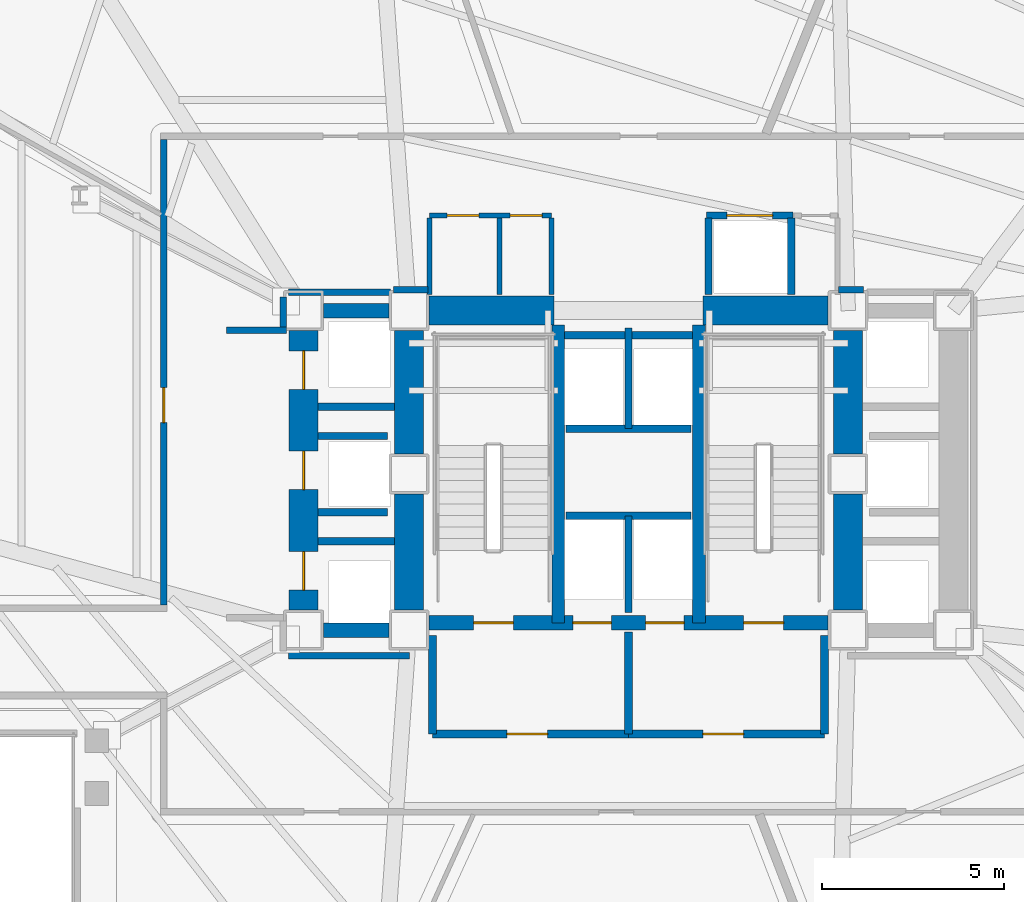
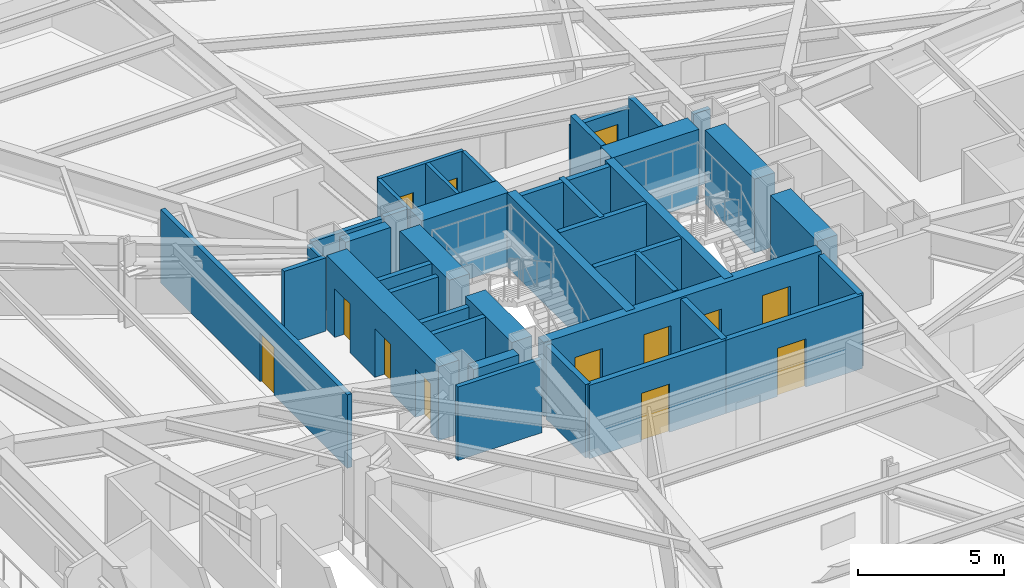
# One storey, part 4 of 10: 40 walls, 13 doors, 13 openings.
"""IFC4 building model written with IfcOpenShell, lengths in metres."""

import ifcopenshell
import ifcopenshell.guid

model = None  # the IFC model being written
_history = None  # IfcOwnerHistory: only IFC2X3 demands one
_inside = {}  # id of a spatial element -> (the spatial element, [elements in it])
_under = {}  # id of a project, library or spatial element -> (it, [spatial elements below it])
_declared = {}  # id of a project -> (the project, [libraries it declares])
_typed = {}  # id of a type object -> (the type object, [elements of that type])
_made_of = {}  # id of a material, layer set ... -> (it, [elements and type objects made of it])


def new_model(schema):
    """Start an empty IFC model of exactly this schema.

    Asked for "IFC4X3", IfcOpenShell would pick the latest addendum, in which some entities
    have other attributes; the version numbers below select the first issue.
    IFC2X3 requires an IfcOwnerHistory on every rooted entity: one is made here for all.
    """
    global model, _history
    if schema == "IFC4X3":
        model = ifcopenshell.file(schema_version=(4, 3, 0, 0))
    else:
        model = ifcopenshell.file(schema=schema)
    _inside.clear()
    _under.clear()
    _declared.clear()
    _typed.clear()
    _made_of.clear()
    _history = None
    if model.schema == "IFC2X3":
        org = make("IfcOrganization", Name="unknown")
        user = make(
            "IfcPersonAndOrganization",
            ThePerson=make("IfcPerson", FamilyName="unknown"),
            TheOrganization=org,
        )
        app = make(
            "IfcApplication",
            ApplicationDeveloper=org,
            Version="unknown",
            ApplicationFullName="unknown",
            ApplicationIdentifier="unknown",
        )
        _history = make(
            "IfcOwnerHistory",
            OwningUser=user,
            OwningApplication=app,
            ChangeAction="ADDED",
            CreationDate=0,
        )
    return model


def make(cls, **values):
    """One entity of the class cls with the attributes given. An attribute that is None is left unset."""
    return model.create_entity(
        cls, **{name: value for name, value in values.items() if value is not None}
    )


def rooted(cls, **values):
    """An entity with a GlobalId (a new one), such as an element, a storey or a relation."""
    return make(cls, GlobalId=ifcopenshell.guid.new(), OwnerHistory=_history, **values)


def si_unit(unit_type, name, prefix=None):
    """IfcSIUnit, for example si_unit("LENGTHUNIT", "METRE", prefix="MILLI")."""
    return make("IfcSIUnit", UnitType=unit_type, Prefix=prefix, Name=name)


def assignment(units):
    """IfcUnitAssignment: the units of a project."""
    return None if units is None else make("IfcUnitAssignment", Units=units)


def point(xyz):
    """IfcCartesianPoint."""
    return None if xyz is None else make("IfcCartesianPoint", Coordinates=xyz)


def direction(xyz):
    """IfcDirection."""
    return None if xyz is None else make("IfcDirection", DirectionRatios=xyz)


def frame(location, z_axis=None, x_axis=None):
    """IfcAxis2Placement3D, a coordinate frame: its origin and axes. An axis left out is left unset."""
    return make(
        "IfcAxis2Placement3D",
        Location=point(location),
        Axis=direction(z_axis),
        RefDirection=direction(x_axis),
    )


def frame_2d(location, x_axis=None):
    """IfcAxis2Placement2D, a coordinate frame in the plane: its origin and x axis."""
    return make(
        "IfcAxis2Placement2D", Location=point(location), RefDirection=direction(x_axis)
    )


def origin():
    """The frame at (0, 0, 0) with its axes left unset."""
    return frame((0.0, 0.0, 0.0))


def place(relative_to, where):
    """IfcLocalPlacement: puts the frame where relative to a parent placement (None: the world)."""
    return make(
        "IfcLocalPlacement", PlacementRelTo=relative_to, RelativePlacement=where
    )


def context(
    kind, dimensions, precision=None, world=None, true_north=None, identifier=None
):
    """IfcGeometricRepresentationContext, for example the 3D "Model" context."""
    return make(
        "IfcGeometricRepresentationContext",
        ContextIdentifier=identifier,
        ContextType=kind,
        CoordinateSpaceDimension=dimensions,
        Precision=precision,
        WorldCoordinateSystem=world,
        TrueNorth=true_north,
    )


def subcontext(parent, identifier, kind, view, scale=None):
    """IfcGeometricRepresentationSubContext, for example "Body" below "Model"."""
    return make(
        "IfcGeometricRepresentationSubContext",
        ContextIdentifier=identifier,
        ContextType=kind,
        ParentContext=parent,
        TargetScale=scale,
        TargetView=view,
    )


def project(units=None, contexts=None):
    """IfcProject with its units and contexts."""
    return rooted(
        "IfcProject",
        Name="project",
        RepresentationContexts=contexts,
        UnitsInContext=assignment(units),
    )


def spatial(cls, under=None, at=None, **own):
    """A site, building, storey or space (cls), placed at a placement, below another one or the project."""
    s = rooted(cls, ObjectPlacement=at, **own)
    if under is not None:
        _under.setdefault(under.id(), (under, []))[1].append(s)
    return s


def profile(cls, at=None, kind="AREA", **sizes):
    """A parametric profile (cls). Its sizes go by their IFC names, for example OverallWidth=200.0."""
    return make(cls, ProfileType=kind, Position=at, **sizes)


def rectangle(**sizes):
    """IfcRectangleProfileDef."""
    return profile("IfcRectangleProfileDef", **sizes)


def extrude(swept, where, along, depth):
    """IfcExtrudedAreaSolid: the profile swept, set in the frame where, extruded along a direction by depth."""
    return make(
        "IfcExtrudedAreaSolid",
        SweptArea=swept,
        Position=where,
        ExtrudedDirection=direction(along),
        Depth=depth,
    )


def shape(context_of_items, identifier, shape_type, items):
    """IfcShapeRepresentation: the items that make up one representation, for example the "Body"."""
    return make(
        "IfcShapeRepresentation",
        ContextOfItems=context_of_items,
        RepresentationIdentifier=identifier,
        RepresentationType=shape_type,
        Items=items,
    )


def material(Name=None, Category=None):
    """IfcMaterial."""
    return make("IfcMaterial", Name=Name, Category=Category)


def layer(
    of_material, thickness, ventilated=None, Name=None, Category=None, Priority=None
):
    """IfcMaterialLayer: one layer of a wall or slab, of a material (None: an air gap)."""
    return make(
        "IfcMaterialLayer",
        Material=of_material,
        LayerThickness=thickness,
        IsVentilated=ventilated,
        Name=Name,
        Category=Category,
        Priority=Priority,
    )


def layer_set(layers, Name=None):
    """IfcMaterialLayerSet."""
    return make("IfcMaterialLayerSet", MaterialLayers=layers, LayerSetName=Name)


def made_of(thing, what):
    """Note that an element or type object is made of a material, layer set ...; save() writes the relation."""
    if what is not None:
        _made_of.setdefault(what.id(), (what, []))[1].append(thing)
    return thing


def type_object(cls, material=None, **own):
    """A type object (cls), such as IfcWallType, which elements share."""
    return made_of(rooted(cls, **own), material)


def element(
    cls,
    number,
    at=None,
    inside=None,
    cuts=None,
    type_object=None,
    material=None,
    context=None,
    identifier="Body",
    shape_type=None,
    held_by="IfcProductDefinitionShape",
    body=None,
    shapes=None,
    **own,
):
    """One element of the class cls, such as IfcWall. Its Tag is "e" and its number.

    at: its placement. inside: the storey or other place that contains it. cuts: it is an
    opening in that element (IfcRelVoidsElement). A single representation is given by context,
    identifier, shape_type and body (its items); several are given by shapes. held_by: the class
    of the entity that holds the representations. save() writes the other relations.
    """
    e = rooted(cls, Tag="e%d" % number, ObjectPlacement=at, **own)
    if body is not None:
        shapes = [shape(context, identifier, shape_type, body)]
    if shapes is not None:
        e.Representation = make(held_by, Representations=shapes)
    if inside is not None:
        _inside.setdefault(inside.id(), (inside, []))[1].append(e)
    if cuts is not None:
        rooted(
            "IfcRelVoidsElement", RelatingBuildingElement=cuts, RelatedOpeningElement=e
        )
    if type_object is not None:
        _typed.setdefault(type_object.id(), (type_object, []))[1].append(e)
    return made_of(e, material)


def fill(opening, filler):
    """IfcRelFillsElement: the door or window that sits in an opening."""
    return rooted(
        "IfcRelFillsElement",
        RelatingOpeningElement=opening,
        RelatedBuildingElement=filler,
    )


def aggregate(whole, parts):
    """IfcRelAggregates: a whole, such as a stair, and the parts it consists of."""
    return rooted("IfcRelAggregates", RelatingObject=whole, RelatedObjects=parts)


def save(model, path):
    """Write the relations noted so far, then the file.

    IfcRelAggregates (storeys below a building ...), IfcRelContainedInSpatialStructure (elements
    in a storey), IfcRelDefinesByType, IfcRelAssociatesMaterial and IfcRelDeclares: one each for
    every whole, place, type object, material and project.
    """
    for whole, parts in _under.values():
        aggregate(whole, parts)
    for where, things in _inside.values():
        rooted(
            "IfcRelContainedInSpatialStructure",
            RelatedElements=things,
            RelatingStructure=where,
        )
    for kind, things in _typed.values():
        rooted("IfcRelDefinesByType", RelatedObjects=things, RelatingType=kind)
    for what, things in _made_of.values():
        rooted("IfcRelAssociatesMaterial", RelatedObjects=things, RelatingMaterial=what)
    for by, libraries in _declared.values():
        rooted("IfcRelDeclares", RelatingContext=by, RelatedDefinitions=libraries)
    model.write(path)


model = new_model("IFC4")

# Units and contexts
model_context = context("Model", 3, precision=1e-05, world=origin(), true_north=direction((0.0, 1.0)))
body_context = subcontext(model_context, "Body", "Model", "MODEL_VIEW")
ifc_project = project(units=[si_unit("LENGTHUNIT", "METRE"), si_unit("AREAUNIT", "SQUARE_METRE"), si_unit("VOLUMEUNIT", "CUBIC_METRE"), si_unit("PLANEANGLEUNIT", "RADIAN"), si_unit("MASSUNIT", "GRAM", prefix="KILO")], contexts=[model_context])

# Site, building, storey
site_placement = place(None, origin())
site = spatial("IfcSite", under=ifc_project, at=site_placement, CompositionType="ELEMENT")
building_placement = place(site_placement, origin())
building = spatial("IfcBuilding", under=site, at=building_placement, Name="Rocaltana Carrier Exchange", CompositionType="ELEMENT")
storey_placement = place(building_placement, frame((0.0, 0.0, 15.360107421875)))
storey = spatial("IfcBuildingStorey", under=building, at=storey_placement, Name="L05", CompositionType="ELEMENT", Elevation=15.360107421875)

# Walls
ifc_material_1 = material(Name="Concrete C50/60", Category="concrete")
ifc_layer_1 = layer(ifc_material_1, 0.35009765625)
ifc_layer_set_1 = layer_set([ifc_layer_1], Name="Concrete C50/60")
wall_type_1 = type_object("IfcWallType", Name="Core Internal Shear Wall 350", PredefinedType="SHEAR", material=ifc_layer_set_1)
for number, where, z_axis, x_axis, name in (
    (1, (-1.93994140625, -4.10009765625, 0.0), (0.0, 0.0, 1.0), (0.0, 1.0, 0.0), "L05 Core Shear Wall CW-STW"),
    (2, (1.93994140625, -4.10009765625, 0.0), (0.0, 0.0, 1.0), (0.0, 1.0, 0.0), "L05 Core Shear Wall CW-STE"),
):
    element("IfcWall", number, at=place(storey_placement, frame(where, z_axis=z_axis, x_axis=x_axis)), inside=storey, type_object=wall_type_1, Name=name, PredefinedType="SHEAR", context=body_context, shape_type="SweptSolid", body=[
        extrude(rectangle(XDim=8.2001953125, YDim=0.35009765625, at=frame_2d((4.10009765625, 0.0))), origin(), (0.0, 0.0, 1.0), 3.097900390625),
    ])

# Wall, openings, doors
ifc_material_2 = material(Name="Concrete C50/60", Category="concrete")
ifc_layer_2 = layer(ifc_material_2, 0.39990234375)
ifc_layer_set_2 = layer_set([ifc_layer_2], Name="Concrete C50/60")
wall_type_2 = type_object("IfcWallType", Name="Core Internal Shear Wall 400", PredefinedType="SHEAR", material=ifc_layer_set_2)
wall_1_placement = place(storey_placement, frame((-5.5, -4.10009765625, 0.0), z_axis=(0.0, 0.0, 1.0), x_axis=(1.0, 0.0, 0.0)))
wall_1 = element("IfcWall", 3, at=wall_1_placement, inside=storey, type_object=wall_type_2, Name="L05 Core Shear Wall CW-S", PredefinedType="SHEAR", context=body_context, shape_type="SweptSolid", body=[
    extrude(rectangle(XDim=11.0, YDim=0.39990234375, at=frame_2d((5.5, 0.0))), origin(), (0.0, 0.0, 1.0), 3.097900390625),
])
opening_1_placement = place(wall_1_placement, frame((1.22998046875, 0.0, 0.0)))
opening_1 = element("IfcOpeningElement", 4, at=opening_1_placement, cuts=wall_1, Name="Opening D-ST110", PredefinedType="OPENING", context=body_context, shape_type="SweptSolid", body=[
    extrude(rectangle(XDim=1.10009765625, YDim=2.0400390625, at=frame_2d((0.550048828125, 1.02001953125))), frame((0.0, 0.2099609375, 0.0), z_axis=(0.0, -1.0, 0.0), x_axis=(1.0, 0.0, 0.0)), (0.0, 0.0, 1.0), 0.419921875),
])
opening_2_placement = place(wall_1_placement, frame((8.669921875, 0.0, 0.0)))
opening_2 = element("IfcOpeningElement", 5, at=opening_2_placement, cuts=wall_1, Name="Opening D-ST110", PredefinedType="OPENING", context=body_context, shape_type="SweptSolid", body=[
    extrude(rectangle(XDim=1.10009765625, YDim=2.0400390625, at=frame_2d((0.550048828125, 1.02001953125))), frame((0.0, 0.2099609375, 0.0), z_axis=(0.0, -1.0, 0.0), x_axis=(1.0, 0.0, 0.0)), (0.0, 0.0, 1.0), 0.419921875),
])
opening_3_placement = place(wall_1_placement, frame((3.969970703125, 0.0, 0.0)))
opening_3 = element("IfcOpeningElement", 6, at=opening_3_placement, cuts=wall_1, Name="Opening LD-110", PredefinedType="OPENING", context=body_context, shape_type="SweptSolid", body=[
    extrude(rectangle(XDim=1.06005859375, YDim=2.0400390625, at=frame_2d((0.530029296875, 1.02001953125))), frame((0.0, 0.2099609375, 0.0), z_axis=(0.0, -1.0, 0.0), x_axis=(1.0, 0.0, 0.0)), (0.0, 0.0, 1.0), 0.419921875),
])
opening_4_placement = place(wall_1_placement, frame((5.969970703125, 0.0, 0.0)))
opening_4 = element("IfcOpeningElement", 7, at=opening_4_placement, cuts=wall_1, Name="Opening LD-110", PredefinedType="OPENING", context=body_context, shape_type="SweptSolid", body=[
    extrude(rectangle(XDim=1.06005859375, YDim=2.0400390625, at=frame_2d((0.530029296875, 1.02001953125))), frame((0.0, 0.2099609375, 0.0), z_axis=(0.0, -1.0, 0.0), x_axis=(1.0, 0.0, 0.0)), (0.0, 0.0, 1.0), 0.419921875),
])
ifc_material_3 = material(Name="Hollow Metal Fire Door Assembly", Category="steel")
door_type_1 = type_object("IfcDoorType", Name="Exit Stair Fire Door 1100x2040 FD90S", OperationType="NOTDEFINED", PredefinedType="DOOR", material=ifc_material_3)
door_1_placement = place(opening_1_placement, origin())
door_1 = element("IfcDoor", 8, at=door_1_placement, inside=storey, type_object=door_type_1, Name="L05 Exit Stair ST1 Fire Door", OperationType="SINGLE_SWING_RIGHT", OverallHeight=2.0400390625, OverallWidth=1.10009765625, PredefinedType="DOOR", context=body_context, shape_type="SweptSolid", body=[
    extrude(rectangle(XDim=1.10009765625, YDim=2.0400390625, at=frame_2d((0.550048828125, 1.02001953125))), frame((0.0, 0.02490234375, 0.0), z_axis=(0.0, -1.0, 0.0), x_axis=(1.0, 0.0, 0.0)), (0.0, 0.0, 1.0), 0.050048828125),
])
fill(opening_1, door_1)
door_2_placement = place(opening_2_placement, origin())
door_2 = element("IfcDoor", 9, at=door_2_placement, inside=storey, type_object=door_type_1, Name="L05 Exit Stair ST2 Fire Door", OperationType="SINGLE_SWING_LEFT", OverallHeight=2.0400390625, OverallWidth=1.10009765625, PredefinedType="DOOR", context=body_context, shape_type="SweptSolid", body=[
    extrude(rectangle(XDim=1.10009765625, YDim=2.0400390625, at=frame_2d((0.550048828125, 1.02001953125))), frame((0.0, 0.02490234375, 0.0), z_axis=(0.0, -1.0, 0.0), x_axis=(1.0, 0.0, 0.0)), (0.0, 0.0, 1.0), 0.050048828125),
])
fill(opening_2, door_2)
ifc_material_4 = material(Name="Brushed Stainless Sliding Door Leaf", Category="steel")
door_type_2 = type_object("IfcDoorType", Name="Lift Landing Sliding Door 1060x2040", OperationType="NOTDEFINED", PredefinedType="DOOR", material=ifc_material_4)
door_3_placement = place(opening_3_placement, origin())
door_3 = element("IfcDoor", 10, at=door_3_placement, inside=storey, type_object=door_type_2, Name="L05 Firefighting Lift FFL1 Landing Door", OperationType="SLIDING_TO_LEFT", OverallHeight=2.0400390625, OverallWidth=1.06005859375, PredefinedType="DOOR", context=body_context, shape_type="SweptSolid", body=[
    extrude(rectangle(XDim=1.06005859375, YDim=2.0400390625, at=frame_2d((0.530029296875, 1.02001953125))), frame((0.0, 0.02490234375, 0.0), z_axis=(0.0, -1.0, 0.0), x_axis=(1.0, 0.0, 0.0)), (0.0, 0.0, 1.0), 0.050048828125),
])
fill(opening_3, door_3)
door_4_placement = place(opening_4_placement, origin())
door_4 = element("IfcDoor", 11, at=door_4_placement, inside=storey, type_object=door_type_2, Name="L05 Firefighting Lift FFL2 Landing Door", OperationType="SLIDING_TO_RIGHT", OverallHeight=2.0400390625, OverallWidth=1.06005859375, PredefinedType="DOOR", context=body_context, shape_type="SweptSolid", body=[
    extrude(rectangle(XDim=1.06005859375, YDim=2.0400390625, at=frame_2d((0.530029296875, 1.02001953125))), frame((0.0, 0.02490234375, 0.0), z_axis=(0.0, -1.0, 0.0), x_axis=(1.0, 0.0, 0.0)), (0.0, 0.0, 1.0), 0.050048828125),
])
fill(opening_4, door_4)

# Walls
for number, where, z_axis, x_axis, name in (
    (12, (-8.39990234375, 4.5, 0.0), (0.0, 0.0, 1.0), (1.0, 0.0, 0.0), "L05 Core Shear Wall CW-WWN"),
    (13, (-8.39990234375, -4.300048828125, 0.0), (0.0, 0.0, 1.0), (1.0, 0.0, 0.0), "L05 Core Shear Wall CW-WWS"),
):
    element("IfcWall", number, at=place(storey_placement, frame(where, z_axis=z_axis, x_axis=x_axis)), inside=storey, type_object=wall_type_2, Name=name, PredefinedType="SHEAR", context=body_context, shape_type="SweptSolid", body=[
        extrude(rectangle(XDim=1.7998046875, YDim=0.39990234375, at=frame_2d((0.89990234375, 0.0))), origin(), (0.0, 0.0, 1.0), 3.097900390625),
    ])
ifc_material_5 = material(Name="Concrete C60/75", Category="concrete")
ifc_layer_3 = layer(ifc_material_5, 0.800048828125)
ifc_layer_set_3 = layer_set([ifc_layer_3], Name="Concrete C60/75")
wall_type_3 = type_object("IfcWallType", Name="Core Shear Wall 800", PredefinedType="SHEAR", material=ifc_layer_set_3)
wall_2_placement = place(storey_placement, frame((-6.050048828125, 0.550048828125, 0.0), z_axis=(0.0, 0.0, 1.0), x_axis=(0.0, 1.0, 0.0)))
element("IfcWall", 14, at=wall_2_placement, inside=storey, type_object=wall_type_3, Name="L05 Core Shear Wall CW-WN", PredefinedType="SHEAR", context=body_context, shape_type="SweptSolid", body=[
    extrude(rectangle(XDim=3.39990234375, YDim=0.800048828125, at=frame_2d((1.699951171875, 0.0))), origin(), (0.0, 0.0, 1.0), 3.097900390625),
])
wall_3_placement = place(storey_placement, frame((-6.050048828125, -3.75, 0.0), z_axis=(0.0, 0.0, 1.0), x_axis=(0.0, 1.0, 0.0)))
element("IfcWall", 15, at=wall_3_placement, inside=storey, type_object=wall_type_3, Name="L05 Core Shear Wall CW-WS", PredefinedType="SHEAR", context=body_context, shape_type="SweptSolid", body=[
    extrude(rectangle(XDim=3.199951171875, YDim=0.800048828125, at=frame_2d((1.60009765625, 0.0))), origin(), (0.0, 0.0, 1.0), 3.097900390625),
])
wall_4_placement = place(storey_placement, frame((6.050048828125, 0.550048828125, 0.0), z_axis=(0.0, 0.0, 1.0), x_axis=(0.0, 1.0, 0.0)))
element("IfcWall", 16, at=wall_4_placement, inside=storey, type_object=wall_type_3, Name="L05 Core Shear Wall CW-EN", PredefinedType="SHEAR", context=body_context, shape_type="SweptSolid", body=[
    extrude(rectangle(XDim=3.39990234375, YDim=0.800048828125, at=frame_2d((1.699951171875, 0.0))), origin(), (0.0, 0.0, 1.0), 3.097900390625),
])
wall_5_placement = place(storey_placement, frame((6.050048828125, -3.75, 0.0), z_axis=(0.0, 0.0, 1.0), x_axis=(0.0, 1.0, 0.0)))
element("IfcWall", 17, at=wall_5_placement, inside=storey, type_object=wall_type_3, Name="L05 Core Shear Wall CW-ES", PredefinedType="SHEAR", context=body_context, shape_type="SweptSolid", body=[
    extrude(rectangle(XDim=3.199951171875, YDim=0.800048828125, at=frame_2d((1.60009765625, 0.0))), origin(), (0.0, 0.0, 1.0), 3.097900390625),
])
for number, where, z_axis, x_axis, name in (
    (18, (-5.5, 4.5, 0.0), (0.0, 0.0, 1.0), (1.0, 0.0, 0.0), "L05 Core Shear Wall CW-N1"),
    (19, (2.050048828125, 4.5, 0.0), (0.0, 0.0, 1.0), (1.0, 0.0, 0.0), "L05 Core Shear Wall CW-N2"),
):
    element("IfcWall", number, at=place(storey_placement, frame(where, z_axis=z_axis, x_axis=x_axis)), inside=storey, type_object=wall_type_3, Name=name, PredefinedType="SHEAR", context=body_context, shape_type="SweptSolid", body=[
        extrude(rectangle(XDim=3.449951171875, YDim=0.800048828125, at=frame_2d((1.72509765625, 0.0))), origin(), (0.0, 0.0, 1.0), 3.097900390625),
    ])

# Wall, openings, doors
wall_6_placement = place(storey_placement, frame((-8.949951171875, -3.75, 0.0), z_axis=(0.0, 0.0, 1.0), x_axis=(0.0, 1.0, 0.0)))
wall_6 = element("IfcWall", 20, at=wall_6_placement, inside=storey, type_object=wall_type_3, Name="L05 Core Shear Wall CW-WW", PredefinedType="SHEAR", context=body_context, shape_type="SweptSolid", body=[
    extrude(rectangle(XDim=7.699951171875, YDim=0.800048828125, at=frame_2d((3.85009765625, 0.0))), origin(), (0.0, 0.0, 1.0), 3.097900390625),
])
opening_5_placement = place(wall_6_placement, frame((0.550048828125, 0.0, 0.0)))
opening_5 = element("IfcOpeningElement", 21, at=opening_5_placement, cuts=wall_6, Name="Opening LD-110", PredefinedType="OPENING", context=body_context, shape_type="SweptSolid", body=[
    extrude(rectangle(XDim=1.06005859375, YDim=2.0400390625, at=frame_2d((0.530029296875, 1.02001953125))), frame((0.0, 0.409912109375, 0.0), z_axis=(0.0, -1.0, 0.0), x_axis=(1.0, 0.0, 0.0)), (0.0, 0.0, 1.0), 0.820068359375),
])
opening_6_placement = place(wall_6_placement, frame((3.320068359375, 0.0, 0.0)))
opening_6 = element("IfcOpeningElement", 22, at=opening_6_placement, cuts=wall_6, Name="Opening LD-110", PredefinedType="OPENING", context=body_context, shape_type="SweptSolid", body=[
    extrude(rectangle(XDim=1.06005859375, YDim=2.0400390625, at=frame_2d((0.530029296875, 1.02001953125))), frame((0.0, 0.409912109375, 0.0), z_axis=(0.0, -1.0, 0.0), x_axis=(1.0, 0.0, 0.0)), (0.0, 0.0, 1.0), 0.820068359375),
])
opening_7_placement = place(wall_6_placement, frame((6.080078125, 0.0, 0.0)))
opening_7 = element("IfcOpeningElement", 23, at=opening_7_placement, cuts=wall_6, Name="Opening LD-110", PredefinedType="OPENING", context=body_context, shape_type="SweptSolid", body=[
    extrude(rectangle(XDim=1.06005859375, YDim=2.0400390625, at=frame_2d((0.530029296875, 1.02001953125))), frame((0.0, 0.409912109375, 0.0), z_axis=(0.0, -1.0, 0.0), x_axis=(1.0, 0.0, 0.0)), (0.0, 0.0, 1.0), 0.820068359375),
])
door_5_placement = place(opening_5_placement, origin())
door_5 = element("IfcDoor", 24, at=door_5_placement, inside=storey, type_object=door_type_2, Name="L05 Low-Rise Lift PL-L1 Landing Door", OperationType="SLIDING_TO_LEFT", OverallHeight=2.0400390625, OverallWidth=1.06005859375, PredefinedType="DOOR", context=body_context, shape_type="SweptSolid", body=[
    extrude(rectangle(XDim=1.06005859375, YDim=2.0400390625, at=frame_2d((0.530029296875, 1.02001953125))), frame((0.0, 0.02490234375, 0.0), z_axis=(0.0, -1.0, 0.0), x_axis=(1.0, 0.0, 0.0)), (0.0, 0.0, 1.0), 0.050048828125),
])
fill(opening_5, door_5)
door_6_placement = place(opening_6_placement, origin())
door_6 = element("IfcDoor", 25, at=door_6_placement, inside=storey, type_object=door_type_2, Name="L05 Low-Rise Lift PL-L2 Landing Door", OperationType="SLIDING_TO_RIGHT", OverallHeight=2.0400390625, OverallWidth=1.06005859375, PredefinedType="DOOR", context=body_context, shape_type="SweptSolid", body=[
    extrude(rectangle(XDim=1.06005859375, YDim=2.0400390625, at=frame_2d((0.530029296875, 1.02001953125))), frame((0.0, 0.02490234375, 0.0), z_axis=(0.0, -1.0, 0.0), x_axis=(1.0, 0.0, 0.0)), (0.0, 0.0, 1.0), 0.050048828125),
])
fill(opening_6, door_6)
door_7_placement = place(opening_7_placement, origin())
door_7 = element("IfcDoor", 26, at=door_7_placement, inside=storey, type_object=door_type_2, Name="L05 Low-Rise Lift PL-L3 Landing Door", OperationType="SLIDING_TO_LEFT", OverallHeight=2.0400390625, OverallWidth=1.06005859375, PredefinedType="DOOR", context=body_context, shape_type="SweptSolid", body=[
    extrude(rectangle(XDim=1.06005859375, YDim=2.0400390625, at=frame_2d((0.530029296875, 1.02001953125))), frame((0.0, 0.02490234375, 0.0), z_axis=(0.0, -1.0, 0.0), x_axis=(1.0, 0.0, 0.0)), (0.0, 0.0, 1.0), 0.050048828125),
])
fill(opening_7, door_7)

# Wall, opening, door
ifc_material_6 = material(Name="Gypsum & Steel Stud Partition", Category="steel")
ifc_layer_4 = layer(ifc_material_6, 0.179931640625)
ifc_layer_set_4 = layer_set([ifc_layer_4], Name="Gypsum & Steel Stud Partition")
wall_type_4 = type_object("IfcWallType", Name="Corridor Fire Partition 180 EI60", PredefinedType="PARTITIONING", material=ifc_layer_set_4)
wall_7_placement = place(storey_placement, frame((-12.800048828125, -3.610107421875, 0.0), z_axis=(0.0, 0.0, 1.0), x_axis=(0.0, 1.0, 0.0)))
wall_7 = element("IfcWall", 27, at=wall_7_placement, inside=storey, type_object=wall_type_4, Name="L05 Corridor Partition 7", PredefinedType="PARTITIONING", context=body_context, shape_type="SweptSolid", body=[
    extrude(rectangle(XDim=12.820068359375, YDim=0.179931640625, at=frame_2d((6.41015625, 0.0))), origin(), (0.0, 0.0, 1.0), 3.072998046875),
])
opening_8_placement = place(wall_7_placement, frame((5.02685546875, 0.0, 0.0)))
opening_8 = element("IfcOpeningElement", 28, at=opening_8_placement, cuts=wall_7, Name="Opening D-RM098", PredefinedType="OPENING", context=body_context, shape_type="SweptSolid", body=[
    extrude(rectangle(XDim=0.9599609375, YDim=2.02001953125, at=frame_2d((0.47998046875, 1.010009765625))), frame((0.0, 0.099853515625, 0.0), z_axis=(0.0, -1.0, 0.0), x_axis=(1.0, 0.0, 0.0)), (0.0, 0.0, 1.0), 0.199951171875),
])
ifc_material_7 = material(Name="Engineered Hardwood Timber", Category="wood")
door_type_3 = type_object("IfcDoorType", Name="Workspace Single Door 960x2020", OperationType="NOTDEFINED", PredefinedType="DOOR", material=ifc_material_7)
door_8_placement = place(opening_8_placement, origin())
door_8 = element("IfcDoor", 29, at=door_8_placement, inside=storey, type_object=door_type_3, Name="L05 Quiet Focus Lounge Entrance Door", OperationType="SINGLE_SWING_LEFT", OverallHeight=2.02001953125, OverallWidth=0.9599609375, PredefinedType="DOOR", context=body_context, shape_type="SweptSolid", body=[
    extrude(rectangle(XDim=0.9599609375, YDim=2.02001953125, at=frame_2d((0.47998046875, 1.010009765625))), frame((0.0, 0.02490234375, 0.0), z_axis=(0.0, -1.0, 0.0), x_axis=(1.0, 0.0, 0.0)), (0.0, 0.0, 1.0), 0.050048828125),
])
fill(opening_8, door_8)

# Walls
wall_8_placement = place(storey_placement, frame((-9.3701171875, -5.010009765625, 0.0), z_axis=(0.0, 0.0, 1.0), x_axis=(1.0, 0.0, 0.0)))
element("IfcWall", 30, at=wall_8_placement, inside=storey, type_object=wall_type_4, Name="L05 Corridor Partition 23", PredefinedType="PARTITIONING", context=body_context, shape_type="SweptSolid", body=[
    extrude(rectangle(XDim=3.340087890625, YDim=0.179931640625, at=frame_2d((1.669921875, 0.0))), origin(), (0.0, 0.0, 1.0), 3.072998046875),
])
wall_9_placement = place(storey_placement, frame((6.469970703125, 5.080078125, 0.0), z_axis=(0.0, 0.0, 1.0), x_axis=(-1.0, 0.0, 0.0)))
element("IfcWall", 31, at=wall_9_placement, inside=storey, type_object=wall_type_4, Name="L05 Corridor Partition 29", PredefinedType="PARTITIONING", context=body_context, shape_type="SweptSolid", body=[
    extrude(rectangle(XDim=0.679931640625, YDim=0.179931640625, at=frame_2d((0.33984375, 0.0))), origin(), (0.0, 0.0, 1.0), 3.072998046875),
])
wall_10_placement = place(storey_placement, frame((-5.52001953125, 5.080078125, 0.0), z_axis=(0.0, 0.0, 1.0), x_axis=(-1.0, 0.0, 0.0)))
element("IfcWall", 32, at=wall_10_placement, inside=storey, type_object=wall_type_4, Name="L05 Corridor Partition 32", PredefinedType="PARTITIONING", context=body_context, shape_type="SweptSolid", body=[
    extrude(rectangle(XDim=0.949951171875, YDim=0.179931640625, at=frame_2d((0.47509765625, 0.0))), origin(), (0.0, 0.0, 1.0), 3.072998046875),
])
wall_11_placement = place(storey_placement, frame((-6.562255859375, 5.010009765625, 0.0), z_axis=(0.0, 0.0, 1.0), x_axis=(-1.0, 0.0, 0.0)))
element("IfcWall", 33, at=wall_11_placement, inside=storey, type_object=wall_type_4, Name="L05 Corridor Partition 33", PredefinedType="PARTITIONING", context=body_context, shape_type="SweptSolid", body=[
    extrude(rectangle(XDim=2.807861328125, YDim=0.179931640625, at=frame_2d((1.40380859375, 0.0))), origin(), (0.0, 0.0, 1.0), 3.072998046875),
])
wall_12_placement = place(storey_placement, frame((-9.510009765625, 4.8701171875, 0.0), z_axis=(0.0, 0.0, 1.0), x_axis=(0.0, -1.0, 0.0)))
element("IfcWall", 34, at=wall_12_placement, inside=storey, type_object=wall_type_4, Name="L05 Corridor Partition 34", PredefinedType="PARTITIONING", context=body_context, shape_type="SweptSolid", body=[
    extrude(rectangle(XDim=0.820068359375, YDim=0.179931640625, at=frame_2d((0.41015625, 0.0))), origin(), (0.0, 0.0, 1.0), 3.072998046875),
])
wall_13_placement = place(storey_placement, frame((-9.419921875, 3.9599609375, 0.0), z_axis=(0.0, 0.0, 1.0), x_axis=(-1.0, 0.0, 0.0)))
element("IfcWall", 35, at=wall_13_placement, inside=storey, type_object=wall_type_4, Name="L05 Corridor Partition 35", PredefinedType="PARTITIONING", context=body_context, shape_type="SweptSolid", body=[
    extrude(rectangle(XDim=1.650146484375, YDim=0.179931640625, at=frame_2d((0.8251953125, 0.0))), origin(), (0.0, 0.0, 1.0), 3.072998046875),
])
ifc_material_8 = material(Name="Autoclaved Aerated Concrete C30/37", Category="concrete")
ifc_layer_5 = layer(ifc_material_8, 0.219970703125)
ifc_layer_set_5 = layer_set([ifc_layer_5], Name="Autoclaved Aerated Concrete C30/37")
wall_type_5 = type_object("IfcWallType", Name="Firefighting Lobby Wall 220 EI120", PredefinedType="PARTITIONING", material=ifc_layer_set_5)
for number, where, z_axis, x_axis, name in (
    (36, (-5.39990234375, -7.159912109375, 0.0), (0.0, 0.0, 1.0), (0.0, 1.0, 0.0), "L05 FFL Lobby 1 West Wall"),
    (37, (5.39990234375, -7.159912109375, 0.0), (0.0, 0.0, 1.0), (0.0, 1.0, 0.0), "L05 FFL Lobby 2 East Wall"),
):
    element("IfcWall", number, at=place(storey_placement, frame(where, z_axis=z_axis, x_axis=x_axis)), inside=storey, type_object=wall_type_5, Name=name, PredefinedType="PARTITIONING", context=body_context, shape_type="SweptSolid", body=[
        extrude(rectangle(XDim=2.7099609375, YDim=0.219970703125, at=frame_2d((1.35498046875, 0.0))), origin(), (0.0, 0.0, 1.0), 3.072998046875),
    ])
wall_14_placement = place(storey_placement, frame((0.0, -7.159912109375, 0.0), z_axis=(0.0, 0.0, 1.0), x_axis=(0.0, 1.0, 0.0)))
element("IfcWall", 38, at=wall_14_placement, inside=storey, type_object=wall_type_5, Name="L05 FFL Lobby Centre Wall", PredefinedType="PARTITIONING", context=body_context, shape_type="SweptSolid", body=[
    extrude(rectangle(XDim=2.809814453125, YDim=0.219970703125, at=frame_2d((1.40478515625, 0.0))), origin(), (0.0, 0.0, 1.0), 3.072998046875),
])

# Wall, opening, door
wall_15_placement = place(storey_placement, frame((-5.39990234375, -7.159912109375, 0.0), z_axis=(0.0, 0.0, 1.0), x_axis=(1.0, 0.0, 0.0)))
wall_15 = element("IfcWall", 39, at=wall_15_placement, inside=storey, type_object=wall_type_5, Name="L05 FFL Lobby 1 South Wall", PredefinedType="PARTITIONING", context=body_context, shape_type="SweptSolid", body=[
    extrude(rectangle(XDim=5.39990234375, YDim=0.219970703125, at=frame_2d((2.699951171875, 0.0))), origin(), (0.0, 0.0, 1.0), 3.072998046875),
])
opening_9_placement = place(wall_15_placement, frame((2.050048828125, 0.0, 0.0)))
opening_9 = element("IfcOpeningElement", 40, at=opening_9_placement, cuts=wall_15, Name="Opening D-FF115", PredefinedType="OPENING", context=body_context, shape_type="SweptSolid", body=[
    extrude(rectangle(XDim=1.1201171875, YDim=2.02001953125, at=frame_2d((0.56005859375, 1.010009765625))), frame((0.0, 0.119873046875, 0.0), z_axis=(0.0, -1.0, 0.0), x_axis=(1.0, 0.0, 0.0)), (0.0, 0.0, 1.0), 0.239990234375),
])
ifc_material_9 = material(Name="Hollow Metal Fire Door Assembly", Category="steel")
door_type_4 = type_object("IfcDoorType", Name="Firefighting Lobby Door 1120x2020 FD60S", OperationType="NOTDEFINED", PredefinedType="DOOR", material=ifc_material_9)
door_9_placement = place(opening_9_placement, origin())
door_9 = element("IfcDoor", 41, at=door_9_placement, inside=storey, type_object=door_type_4, Name="L05 Firefighting Lift Lobby 1 Door", OperationType="SINGLE_SWING_RIGHT", OverallHeight=2.02001953125, OverallWidth=1.1201171875, PredefinedType="DOOR", context=body_context, shape_type="SweptSolid", body=[
    extrude(rectangle(XDim=1.1201171875, YDim=2.02001953125, at=frame_2d((0.56005859375, 1.010009765625))), frame((0.0, 0.02490234375, 0.0), z_axis=(0.0, -1.0, 0.0), x_axis=(1.0, 0.0, 0.0)), (0.0, 0.0, 1.0), 0.050048828125),
])
fill(opening_9, door_9)

wall_16_placement = place(storey_placement, frame((0.0, -7.159912109375, 0.0), z_axis=(0.0, 0.0, 1.0), x_axis=(1.0, 0.0, 0.0)))
wall_16 = element("IfcWall", 42, at=wall_16_placement, inside=storey, type_object=wall_type_5, Name="L05 FFL Lobby 2 South Wall", PredefinedType="PARTITIONING", context=body_context, shape_type="SweptSolid", body=[
    extrude(rectangle(XDim=5.39990234375, YDim=0.219970703125, at=frame_2d((2.699951171875, 0.0))), origin(), (0.0, 0.0, 1.0), 3.072998046875),
])
opening_10_placement = place(wall_16_placement, frame((2.050048828125, 0.0, 0.0)))
opening_10 = element("IfcOpeningElement", 43, at=opening_10_placement, cuts=wall_16, Name="Opening D-FF115", PredefinedType="OPENING", context=body_context, shape_type="SweptSolid", body=[
    extrude(rectangle(XDim=1.1201171875, YDim=2.02001953125, at=frame_2d((0.56005859375, 1.010009765625))), frame((0.0, 0.119873046875, 0.0), z_axis=(0.0, -1.0, 0.0), x_axis=(1.0, 0.0, 0.0)), (0.0, 0.0, 1.0), 0.239990234375),
])
door_10_placement = place(opening_10_placement, origin())
door_10 = element("IfcDoor", 44, at=door_10_placement, inside=storey, type_object=door_type_4, Name="L05 Firefighting Lift Lobby 2 Door", OperationType="SINGLE_SWING_LEFT", OverallHeight=2.02001953125, OverallWidth=1.1201171875, PredefinedType="DOOR", context=body_context, shape_type="SweptSolid", body=[
    extrude(rectangle(XDim=1.1201171875, YDim=2.02001953125, at=frame_2d((0.56005859375, 1.010009765625))), frame((0.0, 0.02490234375, 0.0), z_axis=(0.0, -1.0, 0.0), x_axis=(1.0, 0.0, 0.0)), (0.0, 0.0, 1.0), 0.050048828125),
])
fill(opening_10, door_10)

# Walls
ifc_material_10 = material(Name="Reinforced Concrete Block C35/45", Category="concrete")
ifc_layer_6 = layer(ifc_material_10, 0.199951171875)
ifc_layer_set_6 = layer_set([ifc_layer_6], Name="Reinforced Concrete Block C35/45")
wall_type_6 = type_object("IfcWallType", Name="Lift Hoistway Enclosure Wall 200 EI120", PredefinedType="PARTITIONING", material=ifc_layer_set_6)
wall_17_placement = place(storey_placement, frame((0.0, -3.820068359375, 0.0), z_axis=(0.0, 0.0, 1.0), x_axis=(0.0, 1.0, 0.0)))
element("IfcWall", 45, at=wall_17_placement, inside=storey, type_object=wall_type_6, Name="L05 FFL Shaft Divider", PredefinedType="PARTITIONING", context=body_context, shape_type="SweptSolid", body=[
    extrude(rectangle(XDim=2.670166015625, YDim=0.199951171875, at=frame_2d((1.3349609375, 0.0))), origin(), (0.0, 0.0, 1.0), 3.072998046875),
])
wall_18_placement = place(storey_placement, frame((-1.719970703125, -1.14990234375, 0.0), z_axis=(0.0, 0.0, 1.0), x_axis=(1.0, 0.0, 0.0)))
element("IfcWall", 46, at=wall_18_placement, inside=storey, type_object=wall_type_6, Name="L05 FFL Shaft Back Wall", PredefinedType="PARTITIONING", context=body_context, shape_type="SweptSolid", body=[
    extrude(rectangle(XDim=3.43994140625, YDim=0.199951171875, at=frame_2d((1.719970703125, 0.0))), origin(), (0.0, 0.0, 1.0), 3.072998046875),
])
wall_19_placement = place(storey_placement, frame((0.0, 1.25, 0.0), z_axis=(0.0, 0.0, 1.0), x_axis=(0.0, 1.0, 0.0)))
element("IfcWall", 47, at=wall_19_placement, inside=storey, type_object=wall_type_6, Name="L05 High-Rise Shaft Divider", PredefinedType="PARTITIONING", context=body_context, shape_type="SweptSolid", body=[
    extrude(rectangle(XDim=2.77001953125, YDim=0.199951171875, at=frame_2d((1.385009765625, 0.0))), origin(), (0.0, 0.0, 1.0), 3.072998046875),
])
wall_20_placement = place(storey_placement, frame((-1.719970703125, 1.25, 0.0), z_axis=(0.0, 0.0, 1.0), x_axis=(1.0, 0.0, 0.0)))
element("IfcWall", 48, at=wall_20_placement, inside=storey, type_object=wall_type_6, Name="L05 High-Rise Shaft Back Wall", PredefinedType="PARTITIONING", context=body_context, shape_type="SweptSolid", body=[
    extrude(rectangle(XDim=3.43994140625, YDim=0.199951171875, at=frame_2d((1.719970703125, 0.0))), origin(), (0.0, 0.0, 1.0), 3.072998046875),
])
wall_21_placement = place(storey_placement, frame((-1.760009765625, 3.820068359375, 0.0), z_axis=(0.0, 0.0, 1.0), x_axis=(1.0, 0.0, 0.0)))
element("IfcWall", 49, at=wall_21_placement, inside=storey, type_object=wall_type_6, Name="L05 High-Rise Lift Front Wall", PredefinedType="PARTITIONING", context=body_context, shape_type="SweptSolid", body=[
    extrude(rectangle(XDim=3.52001953125, YDim=0.199951171875, at=frame_2d((1.760009765625, 0.0))), origin(), (0.0, 0.0, 1.0), 3.072998046875),
])
for number, where, z_axis, x_axis, name in (
    (50, (2.199951171875, 4.949951171875, 0.0), (0.0, 0.0, 1.0), (0.0, 1.0, 0.0), "L05 Goods Lift West Wall"),
    (51, (4.47998046875, 4.949951171875, 0.0), (0.0, 0.0, 1.0), (0.0, 1.0, 0.0), "L05 Goods Lift East Wall"),
):
    element("IfcWall", number, at=place(storey_placement, frame(where, z_axis=z_axis, x_axis=x_axis)), inside=storey, type_object=wall_type_6, Name=name, PredefinedType="PARTITIONING", context=body_context, shape_type="SweptSolid", body=[
        extrude(rectangle(XDim=2.10009765625, YDim=0.199951171875, at=frame_2d((1.050048828125, 0.0))), origin(), (0.0, 0.0, 1.0), 3.072998046875),
    ])

# Wall, opening, door
wall_22_placement = place(storey_placement, frame((2.14990234375, 7.1201171875, 0.0), z_axis=(0.0, 0.0, 1.0), x_axis=(1.0, 0.0, 0.0)))
wall_22 = element("IfcWall", 52, at=wall_22_placement, inside=storey, type_object=wall_type_6, Name="L05 Goods Lift Front Wall", PredefinedType="PARTITIONING", context=body_context, shape_type="SweptSolid", body=[
    extrude(rectangle(XDim=2.380126953125, YDim=0.199951171875, at=frame_2d((1.18994140625, 0.0))), origin(), (0.0, 0.0, 1.0), 2.5869140625),
])
opening_11_placement = place(wall_22_placement, frame((0.56005859375, 0.0, 0.0)))
opening_11 = element("IfcOpeningElement", 53, at=opening_11_placement, cuts=wall_22, Name="Opening LD-130", PredefinedType="OPENING", context=body_context, shape_type="SweptSolid", body=[
    extrude(rectangle(XDim=1.260009765625, YDim=2.06005859375, at=frame_2d((0.6298828125, 1.030029296875))), frame((0.0, 0.10986328125, 0.0), z_axis=(0.0, -1.0, 0.0), x_axis=(1.0, 0.0, 0.0)), (0.0, 0.0, 1.0), 0.219970703125),
])
ifc_material_11 = material(Name="Brushed Stainless Sliding Door Leaf", Category="steel")
door_type_5 = type_object("IfcDoorType", Name="Goods Lift Landing Sliding Door 1260x2060", OperationType="NOTDEFINED", PredefinedType="DOOR", material=ifc_material_11)
door_11_placement = place(opening_11_placement, origin())
door_11 = element("IfcDoor", 54, at=door_11_placement, inside=storey, type_object=door_type_5, Name="L05 Goods Lift GL-1 Landing Door", OperationType="SLIDING_TO_LEFT", OverallHeight=2.06005859375, OverallWidth=1.260009765625, PredefinedType="DOOR", context=body_context, shape_type="SweptSolid", body=[
    extrude(rectangle(XDim=1.260009765625, YDim=2.06005859375, at=frame_2d((0.6298828125, 1.030029296875))), frame((0.0, 0.02490234375, 0.0), z_axis=(0.0, -1.0, 0.0), x_axis=(1.0, 0.0, 0.0)), (0.0, 0.0, 1.0), 0.050048828125),
])
fill(opening_11, door_11)

# Walls
for number, where, z_axis, x_axis, name in (
    (55, (-8.550048828125, -1.85009765625, 0.0), (0.0, 0.0, 1.0), (1.0, 0.0, 0.0), "L05 Low-Rise Shaft Divider 1"),
    (56, (-8.550048828125, 1.85009765625, 0.0), (0.0, 0.0, 1.0), (1.0, 0.0, 0.0), "L05 Low-Rise Shaft Divider 2"),
):
    element("IfcWall", number, at=place(storey_placement, frame(where, z_axis=z_axis, x_axis=x_axis)), inside=storey, type_object=wall_type_6, Name=name, PredefinedType="PARTITIONING", context=body_context, shape_type="SweptSolid", body=[
        extrude(rectangle(XDim=2.10009765625, YDim=0.199951171875, at=frame_2d((1.050048828125, 0.0))), origin(), (0.0, 0.0, 1.0), 3.072998046875),
    ])
for number, where, z_axis, x_axis, name in (
    (57, (-8.550048828125, -1.050048828125, 0.0), (0.0, 0.0, 1.0), (1.0, 0.0, 0.0), "L05 Low-Rise Center Shaft Wall South"),
    (58, (-8.550048828125, 1.050048828125, 0.0), (0.0, 0.0, 1.0), (1.0, 0.0, 0.0), "L05 Low-Rise Center Shaft Wall North"),
):
    element("IfcWall", number, at=place(storey_placement, frame(where, z_axis=z_axis, x_axis=x_axis)), inside=storey, type_object=wall_type_6, Name=name, PredefinedType="PARTITIONING", context=body_context, shape_type="SweptSolid", body=[
        extrude(rectangle(XDim=1.91015625, YDim=0.199951171875, at=frame_2d((0.955078125, 0.0))), origin(), (0.0, 0.0, 1.0), 3.072998046875),
    ])
ifc_material_12 = material(Name="Moisture-Resistant Masonry C30/37", Category="masonry")
ifc_layer_7 = layer(ifc_material_12, 0.139892578125)
ifc_layer_set_7 = layer_set([ifc_layer_7], Name="Moisture-Resistant Masonry C30/37")
wall_type_7 = type_object("IfcWallType", Name="Wet-Area Sanitary Partition 140", PredefinedType="PARTITIONING", material=ifc_layer_set_7)
for number, where, z_axis, x_axis, name in (
    (59, (-5.47998046875, 4.949951171875, 0.0), (0.0, 0.0, 1.0), (0.0, 1.0, 0.0), "L05 Sanitary West Wall"),
    (60, (-3.56005859375, 4.949951171875, 0.0), (0.0, 0.0, 1.0), (0.0, 1.0, 0.0), "L05 Sanitary Divider"),
    (61, (-2.1201171875, 4.949951171875, 0.0), (0.0, 0.0, 1.0), (0.0, 1.0, 0.0), "L05 Sanitary East Wall"),
):
    element("IfcWall", number, at=place(storey_placement, frame(where, z_axis=z_axis, x_axis=x_axis)), inside=storey, type_object=wall_type_7, Name=name, PredefinedType="PARTITIONING", context=body_context, shape_type="SweptSolid", body=[
        extrude(rectangle(XDim=2.10009765625, YDim=0.139892578125, at=frame_2d((1.050048828125, 0.0))), origin(), (0.0, 0.0, 1.0), 3.072998046875),
    ])

# Wall, openings, doors
wall_23_placement = place(storey_placement, frame((-5.47998046875, 7.1201171875, 0.0), z_axis=(0.0, 0.0, 1.0), x_axis=(1.0, 0.0, 0.0)))
wall_23 = element("IfcWall", 62, at=wall_23_placement, inside=storey, type_object=wall_type_7, Name="L05 Sanitary North Wall", PredefinedType="PARTITIONING", context=body_context, shape_type="SweptSolid", body=[
    extrude(rectangle(XDim=3.35986328125, YDim=0.139892578125, at=frame_2d((1.679931640625, 0.0))), origin(), (0.0, 0.0, 1.0), 3.072998046875),
])
opening_12_placement = place(wall_23_placement, frame((0.47998046875, 0.0, 0.0)))
opening_12 = element("IfcOpeningElement", 63, at=opening_12_placement, cuts=wall_23, Name="Opening D-WC090", PredefinedType="OPENING", context=body_context, shape_type="SweptSolid", body=[
    extrude(rectangle(XDim=0.8798828125, YDim=2.02001953125, at=frame_2d((0.43994140625, 1.010009765625))), frame((0.0, 0.079833984375, 0.0), z_axis=(0.0, -1.0, 0.0), x_axis=(1.0, 0.0, 0.0)), (0.0, 0.0, 1.0), 0.159912109375),
])
opening_13_placement = place(wall_23_placement, frame((2.219970703125, 0.0, 0.0)))
opening_13 = element("IfcOpeningElement", 64, at=opening_13_placement, cuts=wall_23, Name="Opening D-WC090", PredefinedType="OPENING", context=body_context, shape_type="SweptSolid", body=[
    extrude(rectangle(XDim=0.8798828125, YDim=2.02001953125, at=frame_2d((0.43994140625, 1.010009765625))), frame((0.0, 0.079833984375, 0.0), z_axis=(0.0, -1.0, 0.0), x_axis=(1.0, 0.0, 0.0)), (0.0, 0.0, 1.0), 0.159912109375),
])
ifc_material_13 = material(Name="High-Pressure Laminate Timber", Category="wood")
door_type_6 = type_object("IfcDoorType", Name="Restroom & Accessible WC Door 880x2020", OperationType="NOTDEFINED", PredefinedType="DOOR", material=ifc_material_13)
door_12_placement = place(opening_12_placement, origin())
door_12 = element("IfcDoor", 65, at=door_12_placement, inside=storey, type_object=door_type_6, Name="L05 Accessible Toilet Door", OperationType="SINGLE_SWING_RIGHT", OverallHeight=2.02001953125, OverallWidth=0.8798828125, PredefinedType="DOOR", context=body_context, shape_type="SweptSolid", body=[
    extrude(rectangle(XDim=0.8798828125, YDim=2.02001953125, at=frame_2d((0.43994140625, 1.010009765625))), frame((0.0, 0.02490234375, 0.0), z_axis=(0.0, -1.0, 0.0), x_axis=(1.0, 0.0, 0.0)), (0.0, 0.0, 1.0), 0.050048828125),
])
fill(opening_12, door_12)
door_13_placement = place(opening_13_placement, origin())
door_13 = element("IfcDoor", 66, at=door_13_placement, inside=storey, type_object=door_type_6, Name="L05 Staff Restroom Door", OperationType="SINGLE_SWING_LEFT", OverallHeight=2.02001953125, OverallWidth=0.8798828125, PredefinedType="DOOR", context=body_context, shape_type="SweptSolid", body=[
    extrude(rectangle(XDim=0.8798828125, YDim=2.02001953125, at=frame_2d((0.43994140625, 1.010009765625))), frame((0.0, 0.02490234375, 0.0), z_axis=(0.0, -1.0, 0.0), x_axis=(1.0, 0.0, 0.0)), (0.0, 0.0, 1.0), 0.050048828125),
])
fill(opening_13, door_13)

save(model, "model.ifc")
